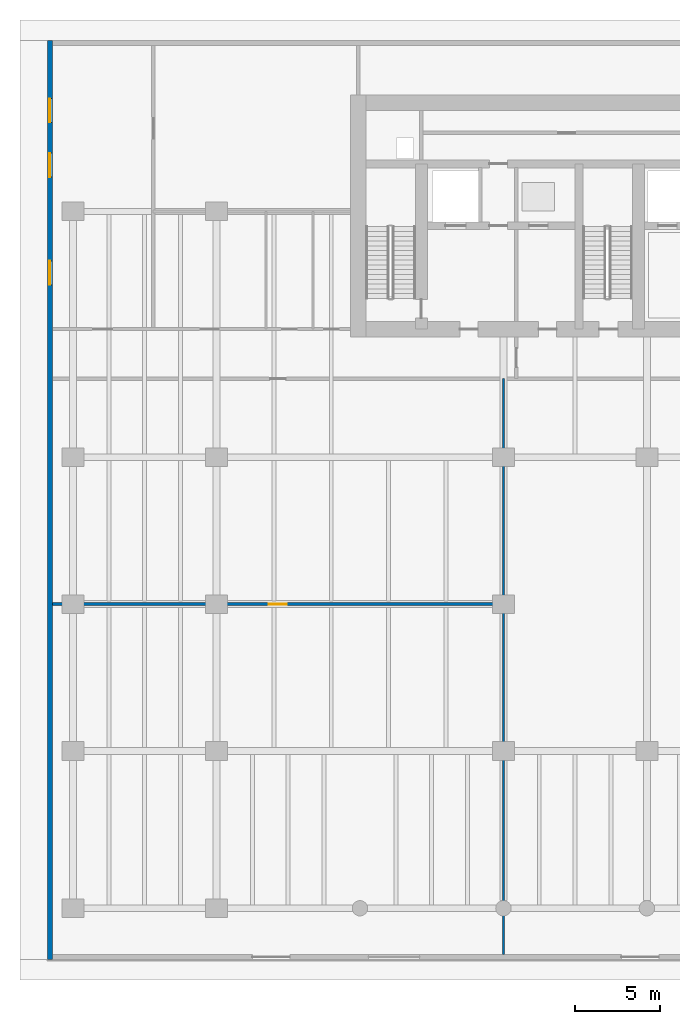
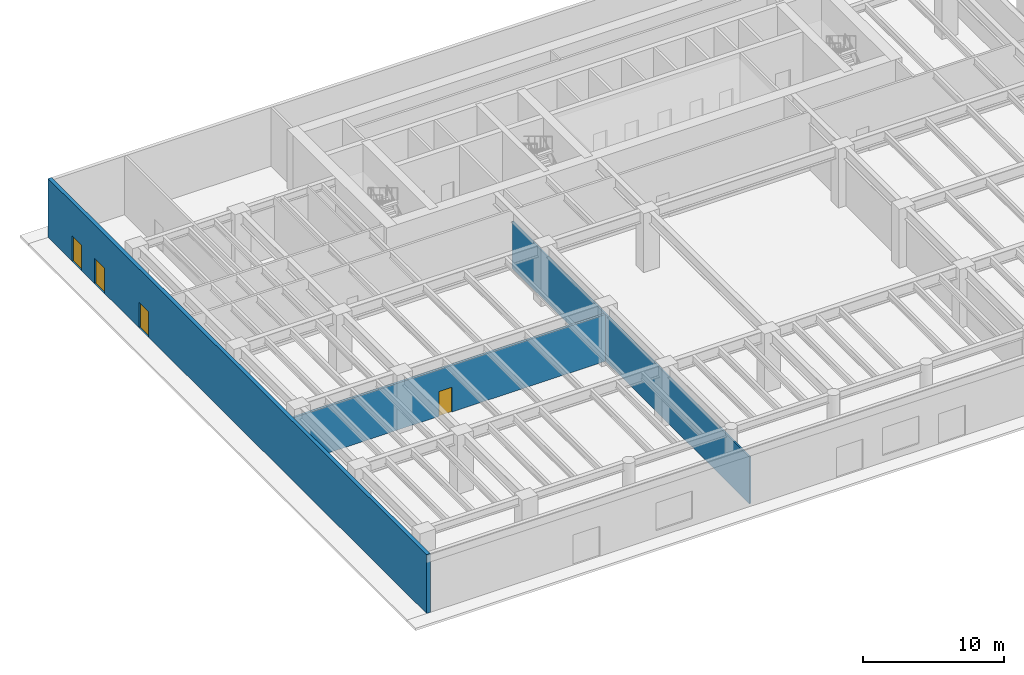
# One storey, part 3 of 11: 4 doors, 3 walls, 4 openings.
"""IFC4 building model written with IfcOpenShell, lengths in metres."""

from ifc_helpers import new_model, si_unit, direction, frame, frame_2d, origin, place, context, subcontext, project, spatial, rectangle, extrude, material, layer, layer_set, type_object, element, fill, save


model = new_model("IFC4")

# Units and contexts
model_context = context("Model", 3, precision=1e-05, world=origin(), true_north=direction((0.0, 1.0)))
body_context = subcontext(model_context, "Body", "Model", "MODEL_VIEW")
ifc_project = project(units=[si_unit("LENGTHUNIT", "METRE"), si_unit("AREAUNIT", "SQUARE_METRE"), si_unit("VOLUMEUNIT", "CUBIC_METRE"), si_unit("PLANEANGLEUNIT", "RADIAN"), si_unit("MASSUNIT", "GRAM", prefix="KILO")], contexts=[model_context])

# Site, building, storey
site_placement = place(None, origin())
site = spatial("IfcSite", under=ifc_project, at=site_placement, CompositionType="ELEMENT")
building_placement = place(site_placement, origin())
building = spatial("IfcBuilding", under=site, at=building_placement, Name="Caelmar Bay Residences", CompositionType="ELEMENT")
storey_placement = place(building_placement, origin())
storey = spatial("IfcBuildingStorey", under=building, at=storey_placement, Name="L00", CompositionType="ELEMENT", Elevation=0.0)

# Wall, opening, door
ifc_material_1 = material(Name="Double-stud acoustic fire-rated gypsum partition 180 mm")
ifc_layer_1 = layer(ifc_material_1, 0.179931640625)
ifc_layer_set_1 = layer_set([ifc_layer_1], Name="Double-stud acoustic fire-rated gypsum partition 180 mm")
wall_type_1 = type_object("IfcWallType", Name="W-COR-200", PredefinedType="PARTITIONING", material=ifc_layer_set_1)
wall_1_placement = place(storey_placement, frame((0.294921875, 20.800048828125, 0.0), z_axis=(0.0, 0.0, 1.0), x_axis=(1.0, 0.0, 0.0)))
wall_1 = element("IfcWall", 1, at=wall_1_placement, inside=storey, type_object=wall_type_1, Name="L00 Partition Wall H026", PredefinedType="PARTITIONING", context=body_context, shape_type="SweptSolid", body=[
    extrude(rectangle(XDim=26.405029296875, YDim=0.179931640625, at=frame_2d((13.20263671875, 0.0))), origin(), (0.0, 0.0, 1.0), 4.06396484375),
])
opening_1_placement = place(wall_1_placement, frame((12.677490234375, 0.0, 0.0)))
opening_1 = element("IfcOpeningElement", 2, at=opening_1_placement, cuts=wall_1, Name="Opening D-L00-133", PredefinedType="OPENING", context=body_context, shape_type="SweptSolid", body=[
    extrude(rectangle(XDim=1.050048828125, YDim=2.14990234375, at=frame_2d((0.52490234375, 1.074951171875))), frame((0.0, 0.099853515625, 0.0), z_axis=(0.0, -1.0, 0.0), x_axis=(1.0, 0.0, 0.0)), (0.0, 0.0, 1.0), 0.199951171875),
])
ifc_material_2 = material(Name="Fire-rated steel and walnut architectural door assembly", Category="steel")
ifc_layer_2 = layer(ifc_material_2, 0.050048828125)
ifc_layer_set_2 = layer_set([ifc_layer_2], Name="Fire-rated steel and walnut architectural door assembly")
door_type_1 = type_object("IfcDoorType", Name="D-FSAE-1050", OperationType="NOTDEFINED", PredefinedType="DOOR", material=ifc_layer_set_2)
door_1_placement = place(opening_1_placement, origin())
door_1 = element("IfcDoor", 3, at=door_1_placement, inside=storey, type_object=door_type_1, Name="L00 Bayfront Cafe Lounge Door", OperationType="SINGLE_SWING_RIGHT", OverallHeight=2.14990234375, OverallWidth=1.050048828125, PredefinedType="DOOR", context=body_context, shape_type="SweptSolid", body=[
    extrude(rectangle(XDim=1.050048828125, YDim=2.14990234375, at=frame_2d((0.52490234375, 1.074951171875))), frame((0.0, 0.02490234375, 0.0), z_axis=(0.0, -1.0, 0.0), x_axis=(1.0, 0.0, 0.0)), (0.0, 0.0, 1.0), 0.050048828125),
])
fill(opening_1, door_1)

# Wall, openings, doors
ifc_material_3 = material(Name="Precast concrete f'c 40 MPa (6,000 psi)", Category="concrete")
ifc_layer_3 = layer(ifc_material_3, 0.300048828125)
ifc_layer_set_3 = layer_set([ifc_layer_3], Name="Precast concrete f'c 40 MPa (6,000 psi)")
wall_type_2 = type_object("IfcWallType", Name="W-EXT-300", PredefinedType="STANDARD", material=ifc_layer_set_3)
wall_2_placement = place(storey_placement, frame((0.14990234375, 0.0, 0.0), z_axis=(0.0, 0.0, 1.0), x_axis=(0.0, 1.0, 0.0)))
wall_2 = element("IfcWall", 4, at=wall_2_placement, inside=storey, type_object=wall_type_2, Name="L00 West Exterior Wall", PredefinedType="STANDARD", context=body_context, shape_type="SweptSolid", body=[
    extrude(rectangle(XDim=53.800048828125, YDim=0.300048828125, at=frame_2d((26.89990234375, 0.0))), origin(), (0.0, 0.0, 1.0), 5.10009765625),
])
opening_2_placement = place(wall_2_placement, frame((39.5, 0.0, 0.0)))
opening_2 = element("IfcOpeningElement", 5, at=opening_2_placement, cuts=wall_2, Name="Opening L00-D005", PredefinedType="OPENING", context=body_context, shape_type="SweptSolid", body=[
    extrude(rectangle(XDim=1.39990234375, YDim=2.199951171875, at=frame_2d((0.699951171875, 1.10009765625))), frame((0.0, 0.159912109375, 0.0), z_axis=(0.0, -1.0, 0.0), x_axis=(1.0, 0.0, 0.0)), (0.0, 0.0, 1.0), 0.320068359375),
])
opening_3_placement = place(wall_2_placement, frame((45.800048828125, 0.0, 0.0)))
opening_3 = element("IfcOpeningElement", 6, at=opening_3_placement, cuts=wall_2, Name="Opening L00-D006", PredefinedType="OPENING", context=body_context, shape_type="SweptSolid", body=[
    extrude(rectangle(XDim=1.39990234375, YDim=2.199951171875, at=frame_2d((0.699951171875, 1.10009765625))), frame((0.0, 0.159912109375, 0.0), z_axis=(0.0, -1.0, 0.0), x_axis=(1.0, 0.0, 0.0)), (0.0, 0.0, 1.0), 0.320068359375),
])
opening_4_placement = place(wall_2_placement, frame((49.0, 0.0, 0.0)))
opening_4 = element("IfcOpeningElement", 7, at=opening_4_placement, cuts=wall_2, Name="Opening L00-D007", PredefinedType="OPENING", context=body_context, shape_type="SweptSolid", body=[
    extrude(rectangle(XDim=1.39990234375, YDim=2.199951171875, at=frame_2d((0.699951171875, 1.10009765625))), frame((0.0, 0.159912109375, 0.0), z_axis=(0.0, -1.0, 0.0), x_axis=(1.0, 0.0, 0.0)), (0.0, 0.0, 1.0), 0.320068359375),
])
ifc_material_4 = material(Name="Insulated stainless-bronze steel exit door", Category="steel")
ifc_layer_4 = layer(ifc_material_4, 0.050048828125)
ifc_layer_set_4 = layer_set([ifc_layer_4], Name="Insulated stainless-bronze steel exit door")
door_type_2 = type_object("IfcDoorType", Name="D-EXIT-1400", OperationType="NOTDEFINED", PredefinedType="DOOR", material=ifc_layer_set_4)
door_2_placement = place(opening_2_placement, origin())
door_2 = element("IfcDoor", 8, at=door_2_placement, inside=storey, type_object=door_type_2, Name="Fire Command Room Exterior Door", OperationType="SINGLE_SWING_LEFT", OverallHeight=2.199951171875, OverallWidth=1.39990234375, PredefinedType="DOOR", context=body_context, shape_type="SweptSolid", body=[
    extrude(rectangle(XDim=1.39990234375, YDim=2.199951171875, at=frame_2d((0.699951171875, 1.10009765625))), frame((0.0, 0.02490234375, 0.0), z_axis=(0.0, -1.0, 0.0), x_axis=(1.0, 0.0, 0.0)), (0.0, 0.0, 1.0), 0.050048828125),
])
fill(opening_2, door_2)
door_3_placement = place(opening_3_placement, origin())
door_3 = element("IfcDoor", 9, at=door_3_placement, inside=storey, type_object=door_type_2, Name="West Exit Passageway Final Exit Door 1", OperationType="SINGLE_SWING_LEFT", OverallHeight=2.199951171875, OverallWidth=1.39990234375, PredefinedType="DOOR", context=body_context, shape_type="SweptSolid", body=[
    extrude(rectangle(XDim=1.39990234375, YDim=2.199951171875, at=frame_2d((0.699951171875, 1.10009765625))), frame((0.0, 0.02490234375, 0.0), z_axis=(0.0, -1.0, 0.0), x_axis=(1.0, 0.0, 0.0)), (0.0, 0.0, 1.0), 0.050048828125),
])
fill(opening_3, door_3)
door_4_placement = place(opening_4_placement, origin())
door_4 = element("IfcDoor", 10, at=door_4_placement, inside=storey, type_object=door_type_2, Name="West Exit Passageway Final Exit Door 2", OperationType="SINGLE_SWING_RIGHT", OverallHeight=2.199951171875, OverallWidth=1.39990234375, PredefinedType="DOOR", context=body_context, shape_type="SweptSolid", body=[
    extrude(rectangle(XDim=1.39990234375, YDim=2.199951171875, at=frame_2d((0.699951171875, 1.10009765625))), frame((0.0, 0.02490234375, 0.0), z_axis=(0.0, -1.0, 0.0), x_axis=(1.0, 0.0, 0.0)), (0.0, 0.0, 1.0), 0.050048828125),
])
fill(opening_4, door_4)

# Wall
ifc_material_5 = material(Name="Acoustic metal-stud gypsum partition 120 mm")
ifc_layer_5 = layer(ifc_material_5, 0.1201171875)
ifc_layer_set_5 = layer_set([ifc_layer_5], Name="Acoustic metal-stud gypsum partition 120 mm")
wall_type_3 = type_object("IfcWallType", Name="W-PRT-120", PredefinedType="PARTITIONING", material=ifc_layer_set_5)
wall_3_placement = place(storey_placement, frame((26.699951171875, 0.294921875, 0.0), z_axis=(0.0, 0.0, 1.0), x_axis=(0.0, 1.0, 0.0)))
element("IfcWall", 11, at=wall_3_placement, inside=storey, type_object=wall_type_3, Name="L00 Partition Wall V007", PredefinedType="PARTITIONING", context=body_context, shape_type="SweptSolid", body=[
    extrude(rectangle(XDim=33.705078125, YDim=0.1201171875, at=frame_2d((16.8525390625, 0.0))), origin(), (0.0, 0.0, 1.0), 4.06396484375),
])

save(model, "model.ifc")
